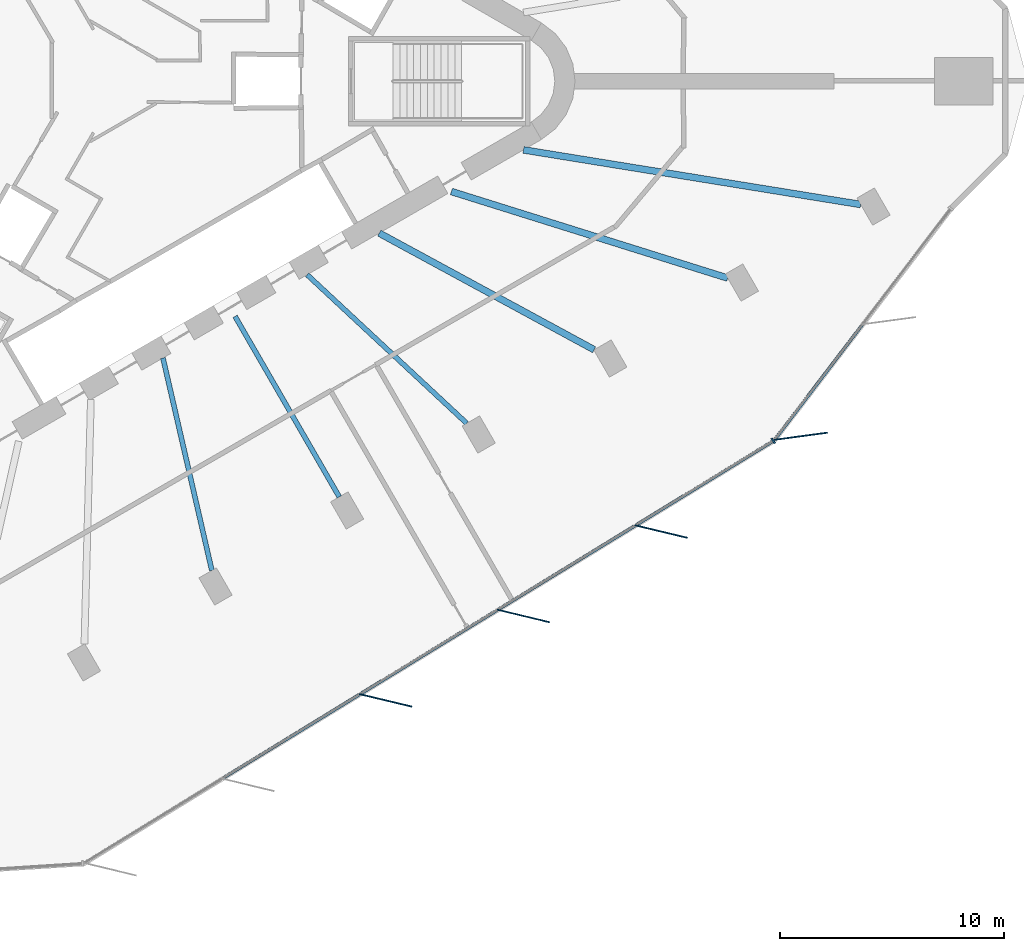
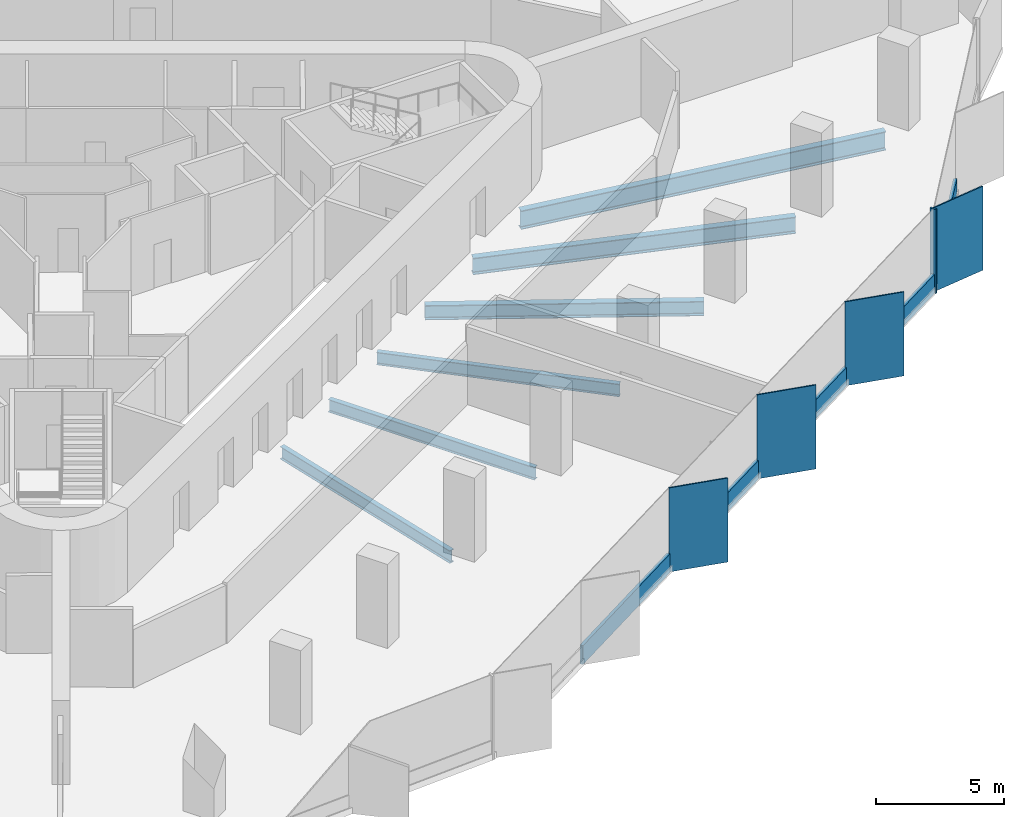
# One storey, part 3 of 14: 10 members, 6 beams, 2 elements without a shape of their own.
"""IFC4 building model written with IfcOpenShell, lengths in metres."""

from ifc_helpers import new_model, si_unit, direction, frame, origin, origin_2d, place, context, subcontext, project, spatial, rectangle, i_section, extrude, material, material_profile, profile_set, type_object, element, aggregate, save


model = new_model("IFC4")

# Units and contexts
model_context = context("Model", 3, precision=1e-05, world=origin(), true_north=direction((0.0, 1.0)))
body_context = subcontext(model_context, "Body", "Model", "MODEL_VIEW")
ifc_project = project(units=[si_unit("LENGTHUNIT", "METRE"), si_unit("AREAUNIT", "SQUARE_METRE"), si_unit("VOLUMEUNIT", "CUBIC_METRE"), si_unit("PLANEANGLEUNIT", "RADIAN"), si_unit("MASSUNIT", "GRAM", prefix="KILO")], contexts=[model_context])

# Site, building, storey
site_placement = place(None, origin())
site = spatial("IfcSite", under=ifc_project, at=site_placement, CompositionType="ELEMENT")
building_placement = place(site_placement, origin())
building = spatial("IfcBuilding", under=site, at=building_placement, Name="Tanit Gate Tower", CompositionType="ELEMENT")
storey_placement = place(building_placement, frame((0.0, 0.0, 225.199951171875)))
storey = spatial("IfcBuildingStorey", under=building, at=storey_placement, Name="L50", CompositionType="ELEMENT", Elevation=225.199951171875)

# Curtain wall, members
ifc_material_1 = material(Name="Aluminium bronze anodised and glass", Category="aluminium")
curtain_wall_type = type_object("IfcCurtainWallType", Name="Curtain wall typical mid", PredefinedType="NOTDEFINED", material=ifc_material_1)
curtain_wall_1_placement = place(storey_placement, origin())
curtain_wall_1 = element("IfcCurtainWall", 1, at=curtain_wall_1_placement, inside=storey, type_object=curtain_wall_type, Name="Curtain wall L50 SE2", PredefinedType="NOTDEFINED")
ifc_material_2 = material(Name="Aluminium bronze anodised", Category="aluminium")
ifc_material_profile_1 = material_profile(ifc_material_2, rectangle(XDim=2.39990234375, YDim=0.055908203125, at=origin_2d()), Name="56x2400 bronze fin mullion")
ifc_profile_set_1 = profile_set([ifc_material_profile_1], Name="Aluminium bronze anodised")
member_type_1 = type_object("IfcMemberType", Name="FIN MULLION 56x2400 bronze", PredefinedType="MULLION", material=ifc_profile_set_1)
member_1_placement = place(storey_placement, frame((12.76123046875, -27.589111328125, -0.300048828125), z_axis=(0.0, 0.0, 1.0), x_axis=(-0.97234319207, 0.23355666729, 0.0)))
member_1 = element("IfcMember", 2, at=member_1_placement, type_object=member_type_1, Name="Fin mullion L50 SE2.3", PredefinedType="MULLION", context=body_context, shape_type="SweptSolid", body=[
    extrude(rectangle(XDim=2.39990234375, YDim=0.055908203125, at=origin_2d()), origin(), (0.0, 0.0, 1.0), 4.0),
])
member_2_placement = place(storey_placement, frame((18.900146484375, -23.827880859375, -0.300048828125), z_axis=(0.0, 0.0, 1.0), x_axis=(-0.97234319207, 0.23355666729, 0.0)))
member_2 = element("IfcMember", 3, at=member_2_placement, type_object=member_type_1, Name="Fin mullion L50 SE2.4", PredefinedType="MULLION", context=body_context, shape_type="SweptSolid", body=[
    extrude(rectangle(XDim=2.39990234375, YDim=0.055908203125, at=origin_2d()), origin(), (0.0, 0.0, 1.0), 4.0),
])
member_3_placement = place(storey_placement, frame((25.039306640625, -20.06689453125, -0.300048828125), z_axis=(0.0, 0.0, 1.0), x_axis=(-0.97234319207, 0.23355666729, 0.0)))
member_3 = element("IfcMember", 4, at=member_3_placement, type_object=member_type_1, Name="Fin mullion L50 SE2.5", PredefinedType="MULLION", context=body_context, shape_type="SweptSolid", body=[
    extrude(rectangle(XDim=2.39990234375, YDim=0.055908203125, at=origin_2d()), origin(), (0.0, 0.0, 1.0), 4.0),
])

# Curtain wall, member
curtain_wall_2_placement = place(storey_placement, origin())
curtain_wall_2 = element("IfcCurtainWall", 5, at=curtain_wall_2_placement, inside=storey, type_object=curtain_wall_type, Name="Curtain wall L50 SE3", PredefinedType="NOTDEFINED")
member_4_placement = place(storey_placement, frame((31.2587890625, -15.8203125, -0.300048828125), z_axis=(0.0, 0.0, 1.0), x_axis=(-0.991049134388, -0.133497615066, 0.0)))
member_4 = element("IfcMember", 6, at=member_4_placement, type_object=member_type_1, Name="Fin mullion L50 SE3.1", PredefinedType="MULLION", context=body_context, shape_type="SweptSolid", body=[
    extrude(rectangle(XDim=2.39990234375, YDim=0.055908203125, at=origin_2d()), origin(), (0.0, 0.0, 1.0), 4.0),
])

# Member
ifc_material_3 = material(Name="Aluminium bronze anodised", Category="aluminium")
ifc_material_profile_2 = material_profile(ifc_material_3, rectangle(XDim=0.260009765625, YDim=0.080078125, at=origin_2d()), Name="80x260 bronze mullion")
ifc_profile_set_2 = profile_set([ifc_material_profile_2], Name="Aluminium bronze anodised")
member_type_2 = type_object("IfcMemberType", Name="Mullion 80x260 typical mid", PredefinedType="MULLION", material=ifc_profile_set_2)
member_5_placement = place(storey_placement, frame((30.0322265625, -16.030517578125, -0.300048828125), z_axis=(0.0, 0.0, 1.0), x_axis=(-0.522400961521, 0.852699967985, 0.0)))
member_5 = element("IfcMember", 7, at=member_5_placement, type_object=member_type_2, Name="Mullion L50 SE2.6", PredefinedType="MULLION", context=body_context, shape_type="SweptSolid", body=[
    extrude(rectangle(XDim=0.260009765625, YDim=0.080078125, at=origin_2d()), origin(), (0.0, 0.0, 1.0), 4.0),
])

# Beams
ifc_material_4 = material(Name="Steel S355", Category="steel")
ifc_material_profile_3 = material_profile(ifc_material_4, i_section(OverallWidth=0.300048828125, OverallDepth=0.68994140625, WebThickness=0.014404296875, FlangeThickness=0.027099609375, FilletRadius=0.027099609375, at=origin_2d()), Name="HEA 700")
ifc_profile_set_3 = profile_set([ifc_material_profile_3], Name="Steel S355")
beam_type_1 = type_object("IfcBeamType", Name="RADIAL GIRDER HEA 700 S355", PredefinedType="BEAM", material=ifc_profile_set_3)
beam_1_placement = place(storey_placement, frame((22.050048828125, -11.96630859375, -0.64501953125), z_axis=(-0.878919746534, 0.476969683683, 0.0), x_axis=(-0.476969683683, -0.878919746534, 0.0)))
element("IfcBeam", 8, at=beam_1_placement, inside=storey, type_object=beam_type_1, Name="RADIAL GIRDER", PredefinedType="BEAM", context=body_context, shape_type="SweptSolid", body=[
    extrude(i_section(OverallWidth=0.300048828125, OverallDepth=0.68994140625, WebThickness=0.014404296875, FlangeThickness=0.027099609375, FilletRadius=0.027099609375, at=origin_2d()), origin(), (0.0, 0.0, 1.0), 10.892333984375),
])
ifc_material_5 = material(Name="Steel S355", Category="steel")
ifc_material_profile_4 = material_profile(ifc_material_5, i_section(OverallWidth=0.300048828125, OverallDepth=0.7900390625, WebThickness=0.014892578125, FlangeThickness=0.028076171875, FilletRadius=0.030029296875, at=origin_2d()), Name="HEA 800")
ifc_profile_set_4 = profile_set([ifc_material_profile_4], Name="Steel S355")
beam_type_2 = type_object("IfcBeamType", Name="RADIAL GIRDER HEA 800 S355", PredefinedType="BEAM", material=ifc_profile_set_4)
beam_2_placement = place(storey_placement, frame((28.001220703125, -8.773681640625, -0.695068359375), z_axis=(-0.954253776397, 0.298997876635, 0.0), x_axis=(-0.298997876635, -0.954253776397, 0.0)))
element("IfcBeam", 9, at=beam_2_placement, inside=storey, type_object=beam_type_2, Name="RADIAL GIRDER", PredefinedType="BEAM", context=body_context, shape_type="SweptSolid", body=[
    extrude(i_section(OverallWidth=0.300048828125, OverallDepth=0.7900390625, WebThickness=0.014892578125, FlangeThickness=0.028076171875, FilletRadius=0.030029296875, at=origin_2d()), origin(), (0.0, 0.0, 1.0), 12.902099609375),
])
ifc_material_6 = material(Name="Steel S355", Category="steel")
ifc_material_profile_5 = material_profile(ifc_material_6, i_section(OverallWidth=0.300048828125, OverallDepth=0.889892578125, WebThickness=0.01611328125, FlangeThickness=0.030029296875, FilletRadius=0.030029296875, at=origin_2d()), Name="HEA 900")
ifc_profile_set_5 = profile_set([ifc_material_profile_5], Name="Steel S355")
beam_type_3 = type_object("IfcBeamType", Name="RADIAL GIRDER HEA 900 S355", PredefinedType="BEAM", material=ifc_profile_set_5)
beam_3_placement = place(storey_placement, frame((33.92626953125, -5.494140625, -0.744873046875), z_axis=(-0.987139158822, 0.159863320119, 0.0), x_axis=(-0.159863320119, -0.987139158822, 0.0)))
element("IfcBeam", 10, at=beam_3_placement, inside=storey, type_object=beam_type_3, Name="RADIAL GIRDER", PredefinedType="BEAM", context=body_context, shape_type="SweptSolid", body=[
    extrude(i_section(OverallWidth=0.300048828125, OverallDepth=0.889892578125, WebThickness=0.01611328125, FlangeThickness=0.030029296875, FilletRadius=0.030029296875, at=origin_2d()), origin(), (0.0, 0.0, 1.0), 15.219970703125),
])
ifc_material_7 = material(Name="Steel S355", Category="steel")
ifc_material_profile_6 = material_profile(ifc_material_7, i_section(OverallWidth=0.219970703125, OverallDepth=0.60009765625, WebThickness=0.011962890625, FlangeThickness=0.01904296875, FilletRadius=0.02392578125, at=origin_2d()), Name="IPE 600")
ifc_profile_set_6 = profile_set([ifc_material_profile_6], Name="Steel S355")
beam_type_4 = type_object("IfcBeamType", Name="RADIAL GIRDER IPE 600 S355", PredefinedType="BEAM", material=ifc_profile_set_6)
beam_4_placement = place(storey_placement, frame((5.01611328125, -21.80078125, -0.599853515625), z_axis=(-0.224240798092, 0.974533767743, 0.0), x_axis=(-0.974533767743, -0.224240798092, 0.0)))
element("IfcBeam", 11, at=beam_4_placement, inside=storey, type_object=beam_type_4, Name="RADIAL GIRDER", PredefinedType="BEAM", context=body_context, shape_type="SweptSolid", body=[
    extrude(i_section(OverallWidth=0.219970703125, OverallDepth=0.60009765625, WebThickness=0.011962890625, FlangeThickness=0.01904296875, FilletRadius=0.02392578125, at=origin_2d()), origin(), (0.0, 0.0, 1.0), 9.712646484375),
])
beam_5_placement = place(storey_placement, frame((10.694091796875, -18.522705078125, -0.599853515625), z_axis=(-0.500001619514, 0.866024468756, 0.0), x_axis=(-0.866024468756, -0.500001619514, 0.0)))
element("IfcBeam", 12, at=beam_5_placement, inside=storey, type_object=beam_type_4, Name="RADIAL GIRDER", PredefinedType="BEAM", context=body_context, shape_type="SweptSolid", body=[
    extrude(i_section(OverallWidth=0.219970703125, OverallDepth=0.60009765625, WebThickness=0.011962890625, FlangeThickness=0.01904296875, FilletRadius=0.02392578125, at=origin_2d()), origin(), (0.0, 0.0, 1.0), 9.2861328125),
])
beam_6_placement = place(storey_placement, frame((16.3720703125, -15.244384765625, -0.599853515625), z_axis=(-0.731857228845, 0.681457993267, 0.0), x_axis=(-0.681457993267, -0.731857228845, 0.0)))
element("IfcBeam", 13, at=beam_6_placement, inside=storey, type_object=beam_type_4, Name="RADIAL GIRDER", PredefinedType="BEAM", context=body_context, shape_type="SweptSolid", body=[
    extrude(i_section(OverallWidth=0.219970703125, OverallDepth=0.60009765625, WebThickness=0.011962890625, FlangeThickness=0.01904296875, FilletRadius=0.02392578125, at=origin_2d()), origin(), (0.0, 0.0, 1.0), 9.71240234375),
])

# Member
ifc_material_8 = material(Name="Aluminium bronze anodised", Category="aluminium")
ifc_material_profile_7 = material_profile(ifc_material_8, rectangle(XDim=0.139892578125, YDim=0.89990234375, at=origin_2d()), Name="140x900 bronze transom")
ifc_profile_set_7 = profile_set([ifc_material_profile_7], Name="Aluminium bronze anodised")
member_type_3 = type_object("IfcMemberType", Name="Transom 140x900 typical mid", PredefinedType="USERDEFINED", material=ifc_profile_set_7)
member_6_placement = place(storey_placement, frame((5.510009765625, -31.053955078125, 0.150146484375), z_axis=(0.852699806703, 0.522401224777, 0.0), x_axis=(-0.522401224777, 0.852699806703, 0.0)))
member_6 = element("IfcMember", 14, at=member_6_placement, type_object=member_type_3, Name="Transom L50 SE2.2", ObjectType="TRANSOM", PredefinedType="USERDEFINED", context=body_context, shape_type="SweptSolid", body=[
    extrude(rectangle(XDim=0.139892578125, YDim=0.89990234375, at=origin_2d()), origin(), (0.0, 0.0, 1.0), 7.119384765625),
])

member_7_placement = place(storey_placement, frame((11.649169921875, -27.292724609375, 0.150146484375), z_axis=(0.852699806703, 0.522401224777, 0.0), x_axis=(-0.522401224777, 0.852699806703, 0.0)))
member_7 = element("IfcMember", 15, at=member_7_placement, type_object=member_type_3, Name="Transom L50 SE2.3", ObjectType="TRANSOM", PredefinedType="USERDEFINED", context=body_context, shape_type="SweptSolid", body=[
    extrude(rectangle(XDim=0.139892578125, YDim=0.89990234375, at=origin_2d()), origin(), (0.0, 0.0, 1.0), 7.119384765625),
])

member_8_placement = place(storey_placement, frame((17.7880859375, -23.53173828125, 0.150146484375), z_axis=(0.852709164628, 0.522385949811, 0.0), x_axis=(-0.522385949811, 0.852709164628, 0.0)))
member_8 = element("IfcMember", 16, at=member_8_placement, type_object=member_type_3, Name="Transom L50 SE2.4", ObjectType="TRANSOM", PredefinedType="USERDEFINED", context=body_context, shape_type="SweptSolid", body=[
    extrude(rectangle(XDim=0.139892578125, YDim=0.89990234375, at=origin_2d()), origin(), (0.0, 0.0, 1.0), 7.11962890625),
])

member_9_placement = place(storey_placement, frame((23.92724609375, -19.770751953125, 0.150146484375), z_axis=(0.852684531283, 0.522426157568, 0.0), x_axis=(-0.522426157568, 0.852684531283, 0.0)))
member_9 = element("IfcMember", 17, at=member_9_placement, type_object=member_type_3, Name="Transom L50 SE2.5", ObjectType="TRANSOM", PredefinedType="USERDEFINED", context=body_context, shape_type="SweptSolid", body=[
    extrude(rectangle(XDim=0.139892578125, YDim=0.89990234375, at=origin_2d()), origin(), (0.0, 0.0, 1.0), 7.11962890625),
])

aggregate(curtain_wall_1, [member_1, member_2, member_3, member_5, member_6, member_7, member_8, member_9])

member_10_placement = place(storey_placement, frame((30.11474609375, -15.946044921875, 0.150146484375), z_axis=(0.606392735352, 0.795165297603, 0.0), x_axis=(-0.795165297603, 0.606392735352, 0.0)))
member_10 = element("IfcMember", 18, at=member_10_placement, type_object=member_type_3, Name="Transom L50 SE3.1", ObjectType="TRANSOM", PredefinedType="USERDEFINED", context=body_context, shape_type="SweptSolid", body=[
    extrude(rectangle(XDim=0.139892578125, YDim=0.89990234375, at=origin_2d()), origin(), (0.0, 0.0, 1.0), 6.396728515625),
])

aggregate(curtain_wall_2, [member_4, member_10])

save(model, "model.ifc")
